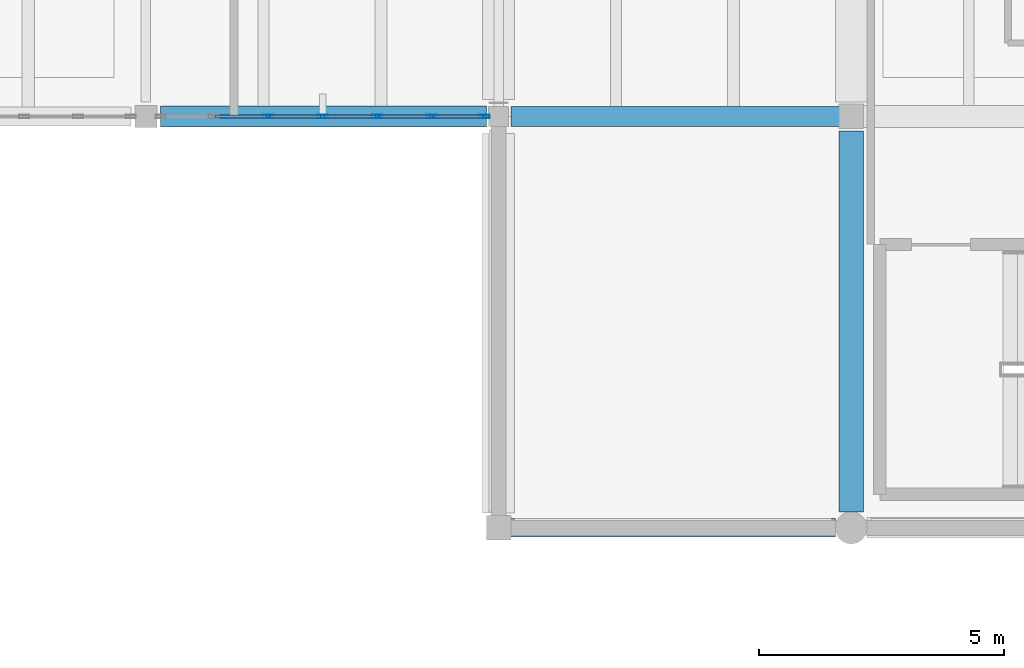
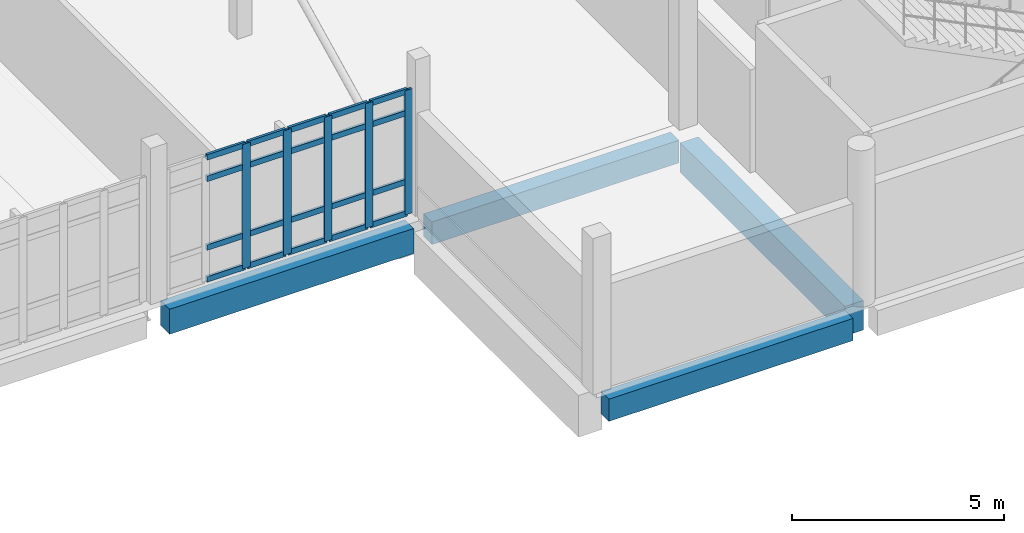
# One storey, part 6 of 34: 25 members, 4 beams, 1 element without a shape of its own.
"""IFC4 building model written with IfcOpenShell, lengths in metres."""

from ifc_helpers import new_model, si_unit, direction, frame, origin, origin_2d, place, context, subcontext, project, spatial, rectangle, hollow_rectangle, extrude, material, material_profile, profile_set, type_object, element, aggregate, save


model = new_model("IFC4")

# Units and contexts
model_context = context("Model", 3, precision=1e-05, world=origin(), true_north=direction((0.0, 1.0)))
body_context = subcontext(model_context, "Body", "Model", "MODEL_VIEW")
ifc_project = project(units=[si_unit("LENGTHUNIT", "METRE"), si_unit("AREAUNIT", "SQUARE_METRE"), si_unit("VOLUMEUNIT", "CUBIC_METRE"), si_unit("PLANEANGLEUNIT", "RADIAN"), si_unit("MASSUNIT", "GRAM", prefix="KILO")], contexts=[model_context])

# Site, building, storey
site_placement = place(None, origin())
site = spatial("IfcSite", under=ifc_project, at=site_placement, CompositionType="ELEMENT")
building_placement = place(site_placement, origin())
building = spatial("IfcBuilding", under=site, at=building_placement, Name="Kalluvel Institute of Natural Sciences", CompositionType="ELEMENT")
storey_placement = place(building_placement, frame((0.0, 0.0, 36.89990234375)))
storey = spatial("IfcBuildingStorey", under=building, at=storey_placement, Name="L08", CompositionType="ELEMENT", Elevation=36.89990234375)

# Beams
ifc_material_1 = material(Name="Concrete M40", Category="concrete")
ifc_material_profile_1 = material_profile(ifc_material_1, rectangle(XDim=0.3798828125, YDim=0.639892578125, at=origin_2d()), Name="RCB 380x640")
ifc_profile_set_1 = profile_set([ifc_material_profile_1], Name="Concrete M40")
beam_type_1 = type_object("IfcBeamType", Name="BM-RC380x640", PredefinedType="BEAM", material=ifc_profile_set_1)
beam_1_placement = place(storey_placement, frame((35.824951171875, 94.39990234375, -0.639892578125), z_axis=(1.0, 0.0, 0.0), x_axis=(0.0, 1.0, 0.0)))
element("IfcBeam", 1, at=beam_1_placement, inside=storey, type_object=beam_type_1, Name="L08 girder GIR-L08-EW-X356-Y944", PredefinedType="BEAM", context=body_context, shape_type="SweptSolid", body=[
    extrude(rectangle(XDim=0.3798828125, YDim=0.639892578125, at=origin_2d()), origin(), (0.0, 0.0, 1.0), 6.650146484375),
])
ifc_material_profile_2 = material_profile(ifc_material_1, rectangle(XDim=0.39990234375, YDim=0.64990234375, at=origin_2d()), Name="RCB 400x650")
ifc_profile_set_2 = profile_set([ifc_material_profile_2], Name="Concrete M40")
beam_type_2 = type_object("IfcBeamType", Name="BM-RC400x650", PredefinedType="BEAM", material=ifc_profile_set_2)
beam_2_placement = place(storey_placement, frame((35.85009765625, 102.800048828125, -0.64501953125), z_axis=(1.0, 0.0, 0.0), x_axis=(0.0, 1.0, 0.0)))
element("IfcBeam", 2, at=beam_2_placement, inside=storey, type_object=beam_type_2, Name="L08 girder GIR-L08-EW-X356-Y1028", PredefinedType="BEAM", context=body_context, shape_type="SweptSolid", body=[
    extrude(rectangle(XDim=0.39990234375, YDim=0.64990234375, at=origin_2d()), origin(), (0.0, 0.0, 1.0), 6.724853515625),
])
ifc_material_profile_3 = material_profile(ifc_material_1, rectangle(XDim=0.419921875, YDim=0.719970703125, at=origin_2d()), Name="RCB 420x720")
ifc_profile_set_3 = profile_set([ifc_material_profile_3], Name="Concrete M40")
beam_type_3 = type_object("IfcBeamType", Name="BM-RC420x720", PredefinedType="BEAM", material=ifc_profile_set_3)
beam_3_placement = place(storey_placement, frame((28.699951171875, 102.800048828125, -0.679931640625), z_axis=(1.0, 0.0, 0.0), x_axis=(0.0, 1.0, 0.0)))
element("IfcBeam", 3, at=beam_3_placement, inside=storey, type_object=beam_type_3, Name="L08 girder GIR-L08-EW-X284-Y1028", PredefinedType="BEAM", context=body_context, shape_type="SweptSolid", body=[
    extrude(rectangle(XDim=0.419921875, YDim=0.719970703125, at=origin_2d()), origin(), (0.0, 0.0, 1.0), 6.650146484375),
])
ifc_material_2 = material(Name="Concrete M50", Category="concrete")
ifc_material_profile_4 = material_profile(ifc_material_2, rectangle(XDim=0.5, YDim=0.85009765625, at=origin_2d()), Name="RCB 500x850")
ifc_profile_set_4 = profile_set([ifc_material_profile_4], Name="Concrete M50")
beam_type_4 = type_object("IfcBeamType", Name="BM-RC500x850", PredefinedType="BEAM", material=ifc_profile_set_4)
beam_4_placement = place(storey_placement, frame((42.800048828125, 94.72509765625, -0.744873046875), z_axis=(0.0, 1.0, 0.0), x_axis=(-1.0, 0.0, 0.0)))
element("IfcBeam", 4, at=beam_4_placement, inside=storey, type_object=beam_type_4, Name="L08 girder GIR-L08-NS-X428-Y944", PredefinedType="BEAM", context=body_context, shape_type="SweptSolid", body=[
    extrude(rectangle(XDim=0.5, YDim=0.85009765625, at=origin_2d()), origin(), (0.0, 0.0, 1.0), 7.77490234375),
])

# Curtain wall, members
ifc_material_3 = material(Name="Aluminium AW-6063 T6", Category="aluminium")
curtain_wall_type = type_object("IfcCurtainWallType", Name="CW-WET-45", PredefinedType="USERDEFINED", material=ifc_material_3)
curtain_wall_placement = place(storey_placement, origin())
curtain_wall = element("IfcCurtainWall", 5, at=curtain_wall_placement, inside=storey, type_object=curtain_wall_type, Name="L08 Gothic lancet curtain wall CWA-L08-X287-Y1028", ObjectType="UNITISED LANCET FACADE", PredefinedType="USERDEFINED")
ifc_material_profile_5 = material_profile(ifc_material_3, hollow_rectangle(XDim=0.070068359375, YDim=0.2099609375, WallThickness=0.0048828125, at=origin_2d()), Name="CWM 70x210")
ifc_profile_set_5 = profile_set([ifc_material_profile_5], Name="Aluminium AW-6063 T6")
member_type_1 = type_object("IfcMemberType", Name="CWM-70x210", PredefinedType="MULLION", material=ifc_profile_set_5)
member_1_placement = place(storey_placement, frame((30.89990234375, 102.800048828125, 0.0), z_axis=(0.0, 0.0, 1.0), x_axis=(0.0, 1.0, 0.0)))
member_1 = element("IfcMember", 6, at=member_1_placement, type_object=member_type_1, Name="CW-01 mullion 3", PredefinedType="MULLION", context=body_context, shape_type="SweptSolid", body=[
    extrude(hollow_rectangle(XDim=0.070068359375, YDim=0.2099609375, WallThickness=0.0048828125, at=origin_2d()), origin(), (0.0, 0.0, 1.0), 3.580078125),
])
member_2_placement = place(storey_placement, frame((32.012451171875, 102.800048828125, 0.0), z_axis=(0.0, 0.0, 1.0), x_axis=(0.0, 1.0, 0.0)))
member_2 = element("IfcMember", 7, at=member_2_placement, type_object=member_type_1, Name="CW-01 mullion 4", PredefinedType="MULLION", context=body_context, shape_type="SweptSolid", body=[
    extrude(hollow_rectangle(XDim=0.070068359375, YDim=0.2099609375, WallThickness=0.0048828125, at=origin_2d()), origin(), (0.0, 0.0, 1.0), 3.580078125),
])
member_3_placement = place(storey_placement, frame((33.125, 102.800048828125, 0.0), z_axis=(0.0, 0.0, 1.0), x_axis=(0.0, 1.0, 0.0)))
member_3 = element("IfcMember", 8, at=member_3_placement, type_object=member_type_1, Name="CW-01 mullion 5", PredefinedType="MULLION", context=body_context, shape_type="SweptSolid", body=[
    extrude(hollow_rectangle(XDim=0.070068359375, YDim=0.2099609375, WallThickness=0.0048828125, at=origin_2d()), origin(), (0.0, 0.0, 1.0), 3.580078125),
])
member_4_placement = place(storey_placement, frame((34.237548828125, 102.800048828125, 0.0), z_axis=(0.0, 0.0, 1.0), x_axis=(0.0, 1.0, 0.0)))
member_4 = element("IfcMember", 9, at=member_4_placement, type_object=member_type_1, Name="CW-01 mullion 6", PredefinedType="MULLION", context=body_context, shape_type="SweptSolid", body=[
    extrude(hollow_rectangle(XDim=0.070068359375, YDim=0.2099609375, WallThickness=0.0048828125, at=origin_2d()), origin(), (0.0, 0.0, 1.0), 3.580078125),
])
member_5_placement = place(storey_placement, frame((35.31494140625, 102.800048828125, 0.0), z_axis=(0.0, 0.0, 1.0), x_axis=(0.0, 1.0, 0.0)))
member_5 = element("IfcMember", 10, at=member_5_placement, type_object=member_type_1, Name="CW-01 mullion 7", PredefinedType="MULLION", context=body_context, shape_type="SweptSolid", body=[
    extrude(hollow_rectangle(XDim=0.070068359375, YDim=0.2099609375, WallThickness=0.0048828125, at=origin_2d()), origin(), (0.0, 0.0, 1.0), 3.580078125),
])
ifc_material_profile_6 = material_profile(ifc_material_3, hollow_rectangle(XDim=0.070068359375, YDim=0.159912109375, WallThickness=0.0048828125, at=origin_2d()), Name="CWT 70x160")
ifc_profile_set_6 = profile_set([ifc_material_profile_6], Name="Aluminium AW-6063 T6")
member_type_2 = type_object("IfcMemberType", Name="CWT-70x160", PredefinedType="USERDEFINED", material=ifc_profile_set_6)
member_6_placement = place(storey_placement, frame((29.822509765625, 102.800048828125, 0.03515625), z_axis=(1.0, 0.0, 0.0), x_axis=(0.0, 1.0, 0.0)))
member_6 = element("IfcMember", 11, at=member_6_placement, type_object=member_type_2, Name="CW-01 transom 2.1", ObjectType="TRANSOM", PredefinedType="USERDEFINED", context=body_context, shape_type="SweptSolid", body=[
    extrude(hollow_rectangle(XDim=0.070068359375, YDim=0.159912109375, WallThickness=0.0048828125, at=origin_2d()), origin(), (0.0, 0.0, 1.0), 1.04248046875),
])
member_7_placement = place(storey_placement, frame((29.822509765625, 102.800048828125, 0.9501953125), z_axis=(1.0, 0.0, 0.0), x_axis=(0.0, 1.0, 0.0)))
member_7 = element("IfcMember", 12, at=member_7_placement, type_object=member_type_2, Name="CW-01 transom 2.2", ObjectType="TRANSOM", PredefinedType="USERDEFINED", context=body_context, shape_type="SweptSolid", body=[
    extrude(hollow_rectangle(XDim=0.070068359375, YDim=0.159912109375, WallThickness=0.0048828125, at=origin_2d()), origin(), (0.0, 0.0, 1.0), 1.04248046875),
])
member_8_placement = place(storey_placement, frame((29.822509765625, 102.800048828125, 2.93017578125), z_axis=(1.0, 0.0, 0.0), x_axis=(0.0, 1.0, 0.0)))
member_8 = element("IfcMember", 13, at=member_8_placement, type_object=member_type_2, Name="CW-01 transom 2.3", ObjectType="TRANSOM", PredefinedType="USERDEFINED", context=body_context, shape_type="SweptSolid", body=[
    extrude(hollow_rectangle(XDim=0.070068359375, YDim=0.159912109375, WallThickness=0.0048828125, at=origin_2d()), origin(), (0.0, 0.0, 1.0), 1.04248046875),
])
member_9_placement = place(storey_placement, frame((29.822509765625, 102.800048828125, 3.545166015625), z_axis=(1.0, 0.0, 0.0), x_axis=(0.0, 1.0, 0.0)))
member_9 = element("IfcMember", 14, at=member_9_placement, type_object=member_type_2, Name="CW-01 transom 2.4", ObjectType="TRANSOM", PredefinedType="USERDEFINED", context=body_context, shape_type="SweptSolid", body=[
    extrude(hollow_rectangle(XDim=0.070068359375, YDim=0.159912109375, WallThickness=0.0048828125, at=origin_2d()), origin(), (0.0, 0.0, 1.0), 1.04248046875),
])
member_10_placement = place(storey_placement, frame((30.93505859375, 102.800048828125, 0.03515625), z_axis=(1.0, 0.0, 0.0), x_axis=(0.0, 1.0, 0.0)))
member_10 = element("IfcMember", 15, at=member_10_placement, type_object=member_type_2, Name="CW-01 transom 3.1", ObjectType="TRANSOM", PredefinedType="USERDEFINED", context=body_context, shape_type="SweptSolid", body=[
    extrude(hollow_rectangle(XDim=0.070068359375, YDim=0.159912109375, WallThickness=0.0048828125, at=origin_2d()), origin(), (0.0, 0.0, 1.0), 1.04248046875),
])
member_11_placement = place(storey_placement, frame((30.93505859375, 102.800048828125, 0.9501953125), z_axis=(1.0, 0.0, 0.0), x_axis=(0.0, 1.0, 0.0)))
member_11 = element("IfcMember", 16, at=member_11_placement, type_object=member_type_2, Name="CW-01 transom 3.2", ObjectType="TRANSOM", PredefinedType="USERDEFINED", context=body_context, shape_type="SweptSolid", body=[
    extrude(hollow_rectangle(XDim=0.070068359375, YDim=0.159912109375, WallThickness=0.0048828125, at=origin_2d()), origin(), (0.0, 0.0, 1.0), 1.04248046875),
])
member_12_placement = place(storey_placement, frame((30.93505859375, 102.800048828125, 2.93017578125), z_axis=(1.0, 0.0, 0.0), x_axis=(0.0, 1.0, 0.0)))
member_12 = element("IfcMember", 17, at=member_12_placement, type_object=member_type_2, Name="CW-01 transom 3.3", ObjectType="TRANSOM", PredefinedType="USERDEFINED", context=body_context, shape_type="SweptSolid", body=[
    extrude(hollow_rectangle(XDim=0.070068359375, YDim=0.159912109375, WallThickness=0.0048828125, at=origin_2d()), origin(), (0.0, 0.0, 1.0), 1.04248046875),
])
member_13_placement = place(storey_placement, frame((30.93505859375, 102.800048828125, 3.545166015625), z_axis=(1.0, 0.0, 0.0), x_axis=(0.0, 1.0, 0.0)))
member_13 = element("IfcMember", 18, at=member_13_placement, type_object=member_type_2, Name="CW-01 transom 3.4", ObjectType="TRANSOM", PredefinedType="USERDEFINED", context=body_context, shape_type="SweptSolid", body=[
    extrude(hollow_rectangle(XDim=0.070068359375, YDim=0.159912109375, WallThickness=0.0048828125, at=origin_2d()), origin(), (0.0, 0.0, 1.0), 1.04248046875),
])
member_14_placement = place(storey_placement, frame((32.047607421875, 102.800048828125, 0.03515625), z_axis=(1.0, 0.0, 0.0), x_axis=(0.0, 1.0, 0.0)))
member_14 = element("IfcMember", 19, at=member_14_placement, type_object=member_type_2, Name="CW-01 transom 4.1", ObjectType="TRANSOM", PredefinedType="USERDEFINED", context=body_context, shape_type="SweptSolid", body=[
    extrude(hollow_rectangle(XDim=0.070068359375, YDim=0.159912109375, WallThickness=0.0048828125, at=origin_2d()), origin(), (0.0, 0.0, 1.0), 1.04248046875),
])
member_15_placement = place(storey_placement, frame((32.047607421875, 102.800048828125, 0.9501953125), z_axis=(1.0, 0.0, 0.0), x_axis=(0.0, 1.0, 0.0)))
member_15 = element("IfcMember", 20, at=member_15_placement, type_object=member_type_2, Name="CW-01 transom 4.2", ObjectType="TRANSOM", PredefinedType="USERDEFINED", context=body_context, shape_type="SweptSolid", body=[
    extrude(hollow_rectangle(XDim=0.070068359375, YDim=0.159912109375, WallThickness=0.0048828125, at=origin_2d()), origin(), (0.0, 0.0, 1.0), 1.04248046875),
])
member_16_placement = place(storey_placement, frame((32.047607421875, 102.800048828125, 2.93017578125), z_axis=(1.0, 0.0, 0.0), x_axis=(0.0, 1.0, 0.0)))
member_16 = element("IfcMember", 21, at=member_16_placement, type_object=member_type_2, Name="CW-01 transom 4.3", ObjectType="TRANSOM", PredefinedType="USERDEFINED", context=body_context, shape_type="SweptSolid", body=[
    extrude(hollow_rectangle(XDim=0.070068359375, YDim=0.159912109375, WallThickness=0.0048828125, at=origin_2d()), origin(), (0.0, 0.0, 1.0), 1.04248046875),
])
member_17_placement = place(storey_placement, frame((32.047607421875, 102.800048828125, 3.545166015625), z_axis=(1.0, 0.0, 0.0), x_axis=(0.0, 1.0, 0.0)))
member_17 = element("IfcMember", 22, at=member_17_placement, type_object=member_type_2, Name="CW-01 transom 4.4", ObjectType="TRANSOM", PredefinedType="USERDEFINED", context=body_context, shape_type="SweptSolid", body=[
    extrude(hollow_rectangle(XDim=0.070068359375, YDim=0.159912109375, WallThickness=0.0048828125, at=origin_2d()), origin(), (0.0, 0.0, 1.0), 1.04248046875),
])
member_18_placement = place(storey_placement, frame((33.159912109375, 102.800048828125, 0.03515625), z_axis=(1.0, 0.0, 0.0), x_axis=(0.0, 1.0, 0.0)))
member_18 = element("IfcMember", 23, at=member_18_placement, type_object=member_type_2, Name="CW-01 transom 5.1", ObjectType="TRANSOM", PredefinedType="USERDEFINED", context=body_context, shape_type="SweptSolid", body=[
    extrude(hollow_rectangle(XDim=0.070068359375, YDim=0.159912109375, WallThickness=0.0048828125, at=origin_2d()), origin(), (0.0, 0.0, 1.0), 1.04248046875),
])
member_19_placement = place(storey_placement, frame((33.159912109375, 102.800048828125, 0.9501953125), z_axis=(1.0, 0.0, 0.0), x_axis=(0.0, 1.0, 0.0)))
member_19 = element("IfcMember", 24, at=member_19_placement, type_object=member_type_2, Name="CW-01 transom 5.2", ObjectType="TRANSOM", PredefinedType="USERDEFINED", context=body_context, shape_type="SweptSolid", body=[
    extrude(hollow_rectangle(XDim=0.070068359375, YDim=0.159912109375, WallThickness=0.0048828125, at=origin_2d()), origin(), (0.0, 0.0, 1.0), 1.04248046875),
])
member_20_placement = place(storey_placement, frame((33.159912109375, 102.800048828125, 2.93017578125), z_axis=(1.0, 0.0, 0.0), x_axis=(0.0, 1.0, 0.0)))
member_20 = element("IfcMember", 25, at=member_20_placement, type_object=member_type_2, Name="CW-01 transom 5.3", ObjectType="TRANSOM", PredefinedType="USERDEFINED", context=body_context, shape_type="SweptSolid", body=[
    extrude(hollow_rectangle(XDim=0.070068359375, YDim=0.159912109375, WallThickness=0.0048828125, at=origin_2d()), origin(), (0.0, 0.0, 1.0), 1.04248046875),
])
member_21_placement = place(storey_placement, frame((33.159912109375, 102.800048828125, 3.545166015625), z_axis=(1.0, 0.0, 0.0), x_axis=(0.0, 1.0, 0.0)))
member_21 = element("IfcMember", 26, at=member_21_placement, type_object=member_type_2, Name="CW-01 transom 5.4", ObjectType="TRANSOM", PredefinedType="USERDEFINED", context=body_context, shape_type="SweptSolid", body=[
    extrude(hollow_rectangle(XDim=0.070068359375, YDim=0.159912109375, WallThickness=0.0048828125, at=origin_2d()), origin(), (0.0, 0.0, 1.0), 1.04248046875),
])
member_22_placement = place(storey_placement, frame((34.2724609375, 102.800048828125, 0.03515625), z_axis=(1.0, 0.0, 0.0), x_axis=(0.0, 1.0, 0.0)))
member_22 = element("IfcMember", 27, at=member_22_placement, type_object=member_type_2, Name="CW-01 transom 6.1", ObjectType="TRANSOM", PredefinedType="USERDEFINED", context=body_context, shape_type="SweptSolid", body=[
    extrude(hollow_rectangle(XDim=0.070068359375, YDim=0.159912109375, WallThickness=0.0048828125, at=origin_2d()), origin(), (0.0, 0.0, 1.0), 1.007568359375),
])
member_23_placement = place(storey_placement, frame((34.2724609375, 102.800048828125, 0.9501953125), z_axis=(1.0, 0.0, 0.0), x_axis=(0.0, 1.0, 0.0)))
member_23 = element("IfcMember", 28, at=member_23_placement, type_object=member_type_2, Name="CW-01 transom 6.2", ObjectType="TRANSOM", PredefinedType="USERDEFINED", context=body_context, shape_type="SweptSolid", body=[
    extrude(hollow_rectangle(XDim=0.070068359375, YDim=0.159912109375, WallThickness=0.0048828125, at=origin_2d()), origin(), (0.0, 0.0, 1.0), 1.007568359375),
])
member_24_placement = place(storey_placement, frame((34.2724609375, 102.800048828125, 2.93017578125), z_axis=(1.0, 0.0, 0.0), x_axis=(0.0, 1.0, 0.0)))
member_24 = element("IfcMember", 29, at=member_24_placement, type_object=member_type_2, Name="CW-01 transom 6.3", ObjectType="TRANSOM", PredefinedType="USERDEFINED", context=body_context, shape_type="SweptSolid", body=[
    extrude(hollow_rectangle(XDim=0.070068359375, YDim=0.159912109375, WallThickness=0.0048828125, at=origin_2d()), origin(), (0.0, 0.0, 1.0), 1.007568359375),
])
member_25_placement = place(storey_placement, frame((34.2724609375, 102.800048828125, 3.545166015625), z_axis=(1.0, 0.0, 0.0), x_axis=(0.0, 1.0, 0.0)))
member_25 = element("IfcMember", 30, at=member_25_placement, type_object=member_type_2, Name="CW-01 transom 6.4", ObjectType="TRANSOM", PredefinedType="USERDEFINED", context=body_context, shape_type="SweptSolid", body=[
    extrude(hollow_rectangle(XDim=0.070068359375, YDim=0.159912109375, WallThickness=0.0048828125, at=origin_2d()), origin(), (0.0, 0.0, 1.0), 1.007568359375),
])
aggregate(curtain_wall, [member_1, member_2, member_3, member_4, member_5, member_6, member_7, member_8, member_9, member_10, member_11, member_12, member_13, member_14, member_15, member_16, member_17, member_18, member_19, member_20, member_21, member_22, member_23, member_24, member_25])

save(model, "model.ifc")
